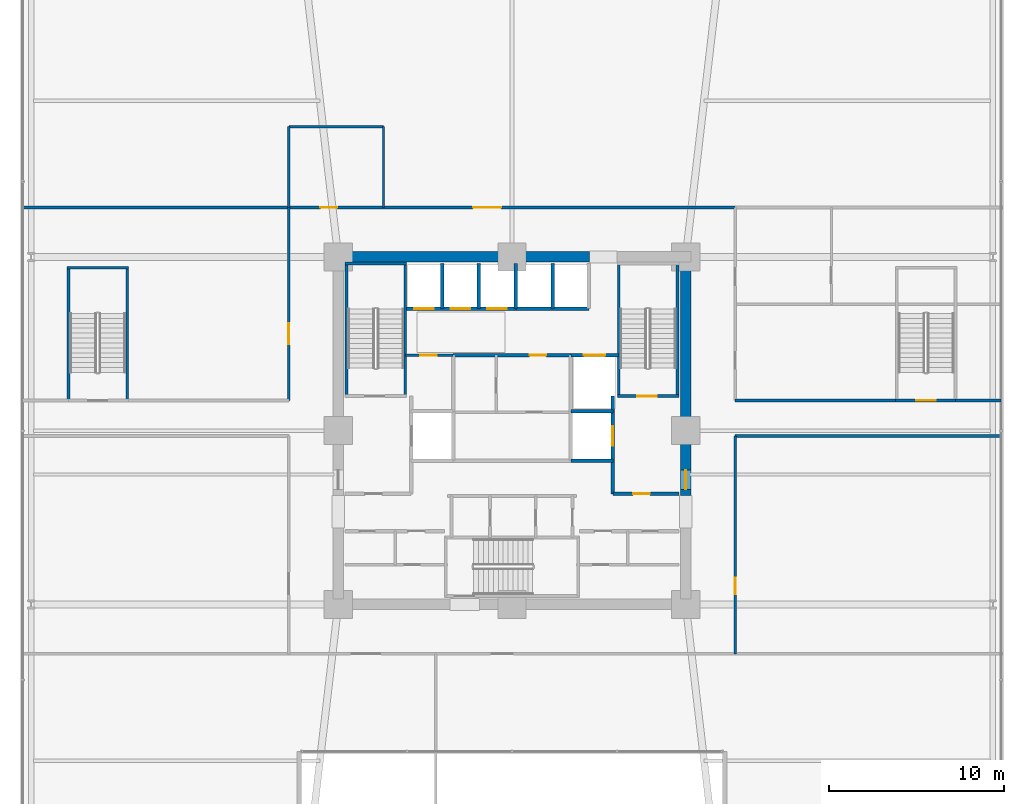
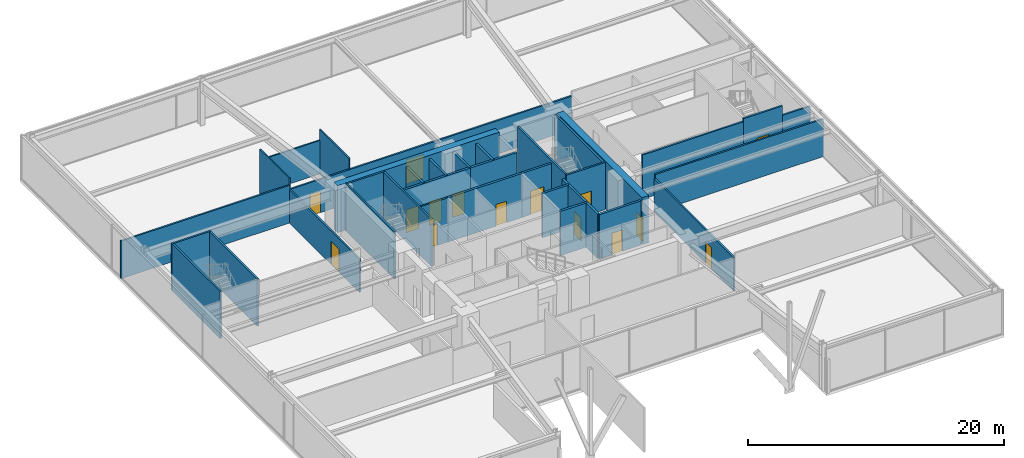
# One storey, part 42 of 47: 35 walls, 15 doors, 15 openings.
"""IFC4 building model written with IfcOpenShell, lengths in metres."""

from ifc_helpers import new_model, si_unit, direction, frame, frame_2d, origin, place, context, subcontext, project, spatial, rectangle, extrude, material, layer, layer_set, type_object, element, fill, save


model = new_model("IFC4")

# Units and contexts
model_context = context("Model", 3, precision=1e-05, world=origin(), true_north=direction((0.0, 1.0)))
body_context = subcontext(model_context, "Body", "Model", "MODEL_VIEW")
ifc_project = project(units=[si_unit("LENGTHUNIT", "METRE"), si_unit("AREAUNIT", "SQUARE_METRE"), si_unit("VOLUMEUNIT", "CUBIC_METRE"), si_unit("PLANEANGLEUNIT", "RADIAN"), si_unit("MASSUNIT", "GRAM", prefix="KILO")], contexts=[model_context])

# Site, building, storey
site_placement = place(None, origin())
site = spatial("IfcSite", under=ifc_project, at=site_placement, CompositionType="ELEMENT")
building_placement = place(site_placement, origin())
building = spatial("IfcBuilding", under=site, at=building_placement, Name="Kolvaren Belvedere", CompositionType="ELEMENT")
storey_placement = place(building_placement, frame((0.0, 0.0, 5.5)))
storey = spatial("IfcBuildingStorey", under=building, at=storey_placement, Name="L02", CompositionType="ELEMENT", Elevation=5.5)

# Wall
ifc_material_1 = material(Name="Concrete C60/75", Category="concrete")
ifc_layer_1 = layer(ifc_material_1, 0.60009765625)
ifc_layer_set_1 = layer_set([ifc_layer_1], Name="Concrete C60/75")
wall_type_1 = type_object("IfcWallType", Name="CW-CORE-600", PredefinedType="SHEAR", material=ifc_layer_set_1)
wall_1_placement = place(storey_placement, frame((-10.199951171875, 9.89990234375, 0.0), z_axis=(0.0, 0.0, 1.0), x_axis=(1.0, 0.0, 0.0)))
element("IfcWall", 1, at=wall_1_placement, inside=storey, type_object=wall_type_1, Name="L02 North Core Shear Wall 1", PredefinedType="SHEAR", context=body_context, shape_type="SweptSolid", body=[
    extrude(rectangle(XDim=14.619873046875, YDim=0.60009765625, at=frame_2d((7.31005859375, 0.0))), origin(), (0.0, 0.0, 1.0), 4.5),
])

# Wall, opening, door
wall_2_placement = place(storey_placement, frame((9.89990234375, -3.699951171875, 0.0), z_axis=(0.0, 0.0, 1.0), x_axis=(0.0, 1.0, 0.0)))
wall_2 = element("IfcWall", 2, at=wall_2_placement, inside=storey, type_object=wall_type_1, Name="L02 East Core Shear Wall 2", PredefinedType="SHEAR", context=body_context, shape_type="SweptSolid", body=[
    extrude(rectangle(XDim=13.300048828125, YDim=0.60009765625, at=frame_2d((6.64990234375, 0.0))), origin(), (0.0, 0.0, 1.0), 4.5),
])
opening_1_placement = place(wall_2_placement, frame((0.35009765625, 0.0, 0.0)))
opening_1 = element("IfcOpeningElement", 3, at=opening_1_placement, cuts=wall_2, Name="Opening D-FD90", PredefinedType="OPENING", context=body_context, shape_type="SweptSolid", body=[
    extrude(rectangle(XDim=1.10009765625, YDim=2.199951171875, at=frame_2d((0.550048828125, 1.10009765625))), frame((0.0, 0.31005859375, 0.0), z_axis=(0.0, -1.0, 0.0), x_axis=(1.0, 0.0, 0.0)), (0.0, 0.0, 1.0), 0.6201171875),
])
ifc_material_2 = material(Name="Painted hollow stainless steel", Category="steel")
door_type_1 = type_object("IfcDoorType", Name="DR-FD90-1100", OperationType="NOTDEFINED", PredefinedType="DOOR", material=ifc_material_2)
door_1_placement = place(opening_1_placement, origin())
door_1 = element("IfcDoor", 4, at=door_1_placement, inside=storey, type_object=door_type_1, Name="L02 East Firefighting Lobby Fire Door", OperationType="SINGLE_SWING_RIGHT", OverallHeight=2.199951171875, OverallWidth=1.10009765625, PredefinedType="DOOR", context=body_context, shape_type="SweptSolid", body=[
    extrude(rectangle(XDim=1.10009765625, YDim=2.199951171875, at=frame_2d((0.550048828125, 1.10009765625))), frame((0.0, 0.02490234375, 0.0), z_axis=(0.0, -1.0, 0.0), x_axis=(1.0, 0.0, 0.0)), (0.0, 0.0, 1.0), 0.050048828125),
])
fill(opening_1, door_1)

# Walls
ifc_material_3 = material(Name="Concrete C50/60", Category="concrete")
ifc_layer_2 = layer(ifc_material_3, 0.159912109375)
ifc_layer_set_2 = layer_set([ifc_layer_2], Name="Concrete C50/60")
wall_type_2 = type_object("IfcWallType", Name="CW-STAIR-160", PredefinedType="SHEAR", material=ifc_layer_set_2)
wall_3_placement = place(storey_placement, frame((-9.52001953125, 9.530029296875, 0.0), z_axis=(0.0, 0.0, 1.0), x_axis=(1.0, 0.0, 0.0)))
element("IfcWall", 5, at=wall_3_placement, inside=storey, type_object=wall_type_2, Name="L02 Stair ST-1 North Shear Wall", PredefinedType="SHEAR", context=body_context, shape_type="SweptSolid", body=[
    extrude(rectangle(XDim=3.52001953125, YDim=0.159912109375, at=frame_2d((1.760009765625, 0.0))), origin(), (0.0, 0.0, 1.0), 4.5),
])
for number, where, z_axis, x_axis, name in (
    (6, (-9.429931640625, 1.969970703125, 0.0), (0.0, 0.0, 1.0), (0.0, 1.0, 0.0), "L02 Stair ST-1 West Shear Wall"),
    (7, (-6.080078125, 1.969970703125, 0.0), (0.0, 0.0, 1.0), (0.0, 1.0, 0.0), "L02 Stair ST-1 East Shear Wall"),
):
    element("IfcWall", number, at=place(storey_placement, frame(where, z_axis=z_axis, x_axis=x_axis)), inside=storey, type_object=wall_type_2, Name=name, PredefinedType="SHEAR", context=body_context, shape_type="SweptSolid", body=[
        extrude(rectangle(XDim=7.56005859375, YDim=0.159912109375, at=frame_2d((3.780029296875, 0.0))), origin(), (0.0, 0.0, 1.0), 4.5),
    ])

# Wall, opening, door
wall_4_placement = place(storey_placement, frame((6.0, 1.969970703125, 0.0), z_axis=(0.0, 0.0, 1.0), x_axis=(1.0, 0.0, 0.0)))
wall_4 = element("IfcWall", 8, at=wall_4_placement, inside=storey, type_object=wall_type_2, Name="L02 Stair ST-2 South Shear Wall", PredefinedType="SHEAR", context=body_context, shape_type="SweptSolid", body=[
    extrude(rectangle(XDim=3.52001953125, YDim=0.159912109375, at=frame_2d((1.760009765625, 0.0))), origin(), (0.0, 0.0, 1.0), 4.5),
])
opening_2_placement = place(wall_4_placement, frame((1.14990234375, 0.0, 0.0)))
opening_2 = element("IfcOpeningElement", 9, at=opening_2_placement, cuts=wall_4, Name="Opening D-FD90", PredefinedType="OPENING", context=body_context, shape_type="SweptSolid", body=[
    extrude(rectangle(XDim=1.10009765625, YDim=2.199951171875, at=frame_2d((0.550048828125, 1.10009765625))), frame((0.0, 0.08984375, 0.0), z_axis=(0.0, -1.0, 0.0), x_axis=(1.0, 0.0, 0.0)), (0.0, 0.0, 1.0), 0.179931640625),
])
door_2_placement = place(opening_2_placement, origin())
door_2 = element("IfcDoor", 10, at=door_2_placement, inside=storey, type_object=door_type_1, Name="L02 Stair ST-2 Fire Door", OperationType="SINGLE_SWING_RIGHT", OverallHeight=2.199951171875, OverallWidth=1.10009765625, PredefinedType="DOOR", context=body_context, shape_type="SweptSolid", body=[
    extrude(rectangle(XDim=1.10009765625, YDim=2.199951171875, at=frame_2d((0.550048828125, 1.10009765625))), frame((0.0, 0.02490234375, 0.0), z_axis=(0.0, -1.0, 0.0), x_axis=(1.0, 0.0, 0.0)), (0.0, 0.0, 1.0), 0.050048828125),
])
fill(opening_2, door_2)

# Walls
for number, where, z_axis, x_axis, name in (
    (11, (6.080078125, 1.969970703125, 0.0), (0.0, 0.0, 1.0), (0.0, 1.0, 0.0), "L02 Stair ST-2 West Shear Wall"),
    (12, (9.429931640625, 1.969970703125, 0.0), (0.0, 0.0, 1.0), (0.0, 1.0, 0.0), "L02 Stair ST-2 East Shear Wall"),
):
    element("IfcWall", number, at=place(storey_placement, frame(where, z_axis=z_axis, x_axis=x_axis)), inside=storey, type_object=wall_type_2, Name=name, PredefinedType="SHEAR", context=body_context, shape_type="SweptSolid", body=[
        extrude(rectangle(XDim=7.56005859375, YDim=0.159912109375, at=frame_2d((3.780029296875, 0.0))), origin(), (0.0, 0.0, 1.0), 4.5),
    ])
wall_5_placement = place(storey_placement, frame((-25.360107421875, 9.280029296875, 0.0), z_axis=(0.0, 0.0, 1.0), x_axis=(1.0, 0.0, 0.0)))
element("IfcWall", 13, at=wall_5_placement, inside=storey, type_object=wall_type_2, Name="L02 Stair ST-P1 North Shear Wall", PredefinedType="SHEAR", context=body_context, shape_type="SweptSolid", body=[
    extrude(rectangle(XDim=3.510009765625, YDim=0.159912109375, at=frame_2d((1.7548828125, 0.0))), origin(), (0.0, 0.0, 1.0), 4.5),
])
for number, where, z_axis, x_axis, name in (
    (14, (-25.280029296875, 1.719970703125, 0.0), (0.0, 0.0, 1.0), (0.0, 1.0, 0.0), "L02 Stair ST-P1 West Shear Wall"),
    (15, (-21.929931640625, 1.719970703125, 0.0), (0.0, 0.0, 1.0), (0.0, 1.0, 0.0), "L02 Stair ST-P1 East Shear Wall"),
):
    element("IfcWall", number, at=place(storey_placement, frame(where, z_axis=z_axis, x_axis=x_axis)), inside=storey, type_object=wall_type_2, Name=name, PredefinedType="SHEAR", context=body_context, shape_type="SweptSolid", body=[
        extrude(rectangle(XDim=7.56005859375, YDim=0.159912109375, at=frame_2d((3.780029296875, 0.0))), origin(), (0.0, 0.0, 1.0), 4.5),
    ])

# Wall, opening, door
wall_6_placement = place(storey_placement, frame((21.85009765625, 1.719970703125, 0.0), z_axis=(0.0, 0.0, 1.0), x_axis=(1.0, 0.0, 0.0)))
wall_6 = element("IfcWall", 16, at=wall_6_placement, inside=storey, type_object=wall_type_2, Name="L02 Stair ST-P2 South Shear Wall", PredefinedType="SHEAR", context=body_context, shape_type="SweptSolid", body=[
    extrude(rectangle(XDim=3.510009765625, YDim=0.159912109375, at=frame_2d((1.7548828125, 0.0))), origin(), (0.0, 0.0, 1.0), 4.5),
])
opening_3_placement = place(wall_6_placement, frame((1.199951171875, 0.0, 0.0)))
opening_3 = element("IfcOpeningElement", 17, at=opening_3_placement, cuts=wall_6, Name="Opening D-FD90", PredefinedType="OPENING", context=body_context, shape_type="SweptSolid", body=[
    extrude(rectangle(XDim=1.10009765625, YDim=2.199951171875, at=frame_2d((0.550048828125, 1.10009765625))), frame((0.0, 0.08984375, 0.0), z_axis=(0.0, -1.0, 0.0), x_axis=(1.0, 0.0, 0.0)), (0.0, 0.0, 1.0), 0.179931640625),
])
door_3_placement = place(opening_3_placement, origin())
door_3 = element("IfcDoor", 18, at=door_3_placement, inside=storey, type_object=door_type_1, Name="L02 Podium Stair ST-P2 Exit Door", OperationType="SINGLE_SWING_RIGHT", OverallHeight=2.199951171875, OverallWidth=1.10009765625, PredefinedType="DOOR", context=body_context, shape_type="SweptSolid", body=[
    extrude(rectangle(XDim=1.10009765625, YDim=2.199951171875, at=frame_2d((0.550048828125, 1.10009765625))), frame((0.0, 0.02490234375, 0.0), z_axis=(0.0, -1.0, 0.0), x_axis=(1.0, 0.0, 0.0)), (0.0, 0.0, 1.0), 0.050048828125),
])
fill(opening_3, door_3)

# Wall, openings, doors
ifc_material_4 = material(Name="Gypsum fire-rated partition assembly", Category="gypsum")
ifc_layer_3 = layer(ifc_material_4, 0.14990234375)
ifc_layer_set_3 = layer_set([ifc_layer_3], Name="Gypsum fire-rated partition assembly")
wall_type_3 = type_object("IfcWallType", Name="WL-CORR-150", PredefinedType="PARTITIONING", material=ifc_layer_set_3)
wall_7_placement = place(storey_placement, frame((-12.719970703125, 12.719970703125, 0.0), z_axis=(0.0, 0.0, 1.0), x_axis=(1.0, 0.0, 0.0)))
wall_7 = element("IfcWall", 19, at=wall_7_placement, inside=storey, type_object=wall_type_3, Name="L02 North Corridor Wall", PredefinedType="PARTITIONING", context=body_context, shape_type="SweptSolid", body=[
    extrude(rectangle(XDim=25.43994140625, YDim=0.14990234375, at=frame_2d((12.719970703125, 0.0))), origin(), (0.0, 0.0, 1.0), 3.194091796875),
])
opening_4_placement = place(wall_7_placement, frame((1.800048828125, 0.0, 0.0)))
opening_4 = element("IfcOpeningElement", 20, at=opening_4_placement, cuts=wall_7, Name="Opening D-INT95", PredefinedType="OPENING", context=body_context, shape_type="SweptSolid", body=[
    extrude(rectangle(XDim=0.949951171875, YDim=2.06005859375, at=frame_2d((0.47509765625, 1.030029296875))), frame((0.0, 0.0849609375, 0.0), z_axis=(0.0, -1.0, 0.0), x_axis=(1.0, 0.0, 0.0)), (0.0, 0.0, 1.0), 0.169921875),
])
opening_5_placement = place(wall_7_placement, frame((10.5, 0.0, 0.0)))
opening_5 = element("IfcOpeningElement", 21, at=opening_5_placement, cuts=wall_7, Name="Opening D-GL16", PredefinedType="OPENING", context=body_context, shape_type="SweptSolid", body=[
    extrude(rectangle(XDim=1.60009765625, YDim=2.300048828125, at=frame_2d((0.800048828125, 1.14990234375))), frame((0.0, 0.0849609375, 0.0), z_axis=(0.0, -1.0, 0.0), x_axis=(1.0, 0.0, 0.0)), (0.0, 0.0, 1.0), 0.169921875),
])
ifc_material_5 = material(Name="Anodised pale-metal aluminium & safety glass", Category="aluminium")
door_type_2 = type_object("IfcDoorType", Name="DR-GLAZ-1600", OperationType="DOUBLE_DOOR_SINGLE_SWING", PredefinedType="DOOR", material=ifc_material_5)
door_4_placement = place(opening_5_placement, origin())
door_4 = element("IfcDoor", 22, at=door_4_placement, inside=storey, type_object=door_type_2, Name="L02 North Panoramic Lounge Door", OperationType="DOUBLE_DOOR_SINGLE_SWING", OverallHeight=2.300048828125, OverallWidth=1.60009765625, PredefinedType="DOOR", context=body_context, shape_type="SweptSolid", body=[
    extrude(rectangle(XDim=1.60009765625, YDim=2.300048828125, at=frame_2d((0.800048828125, 1.14990234375))), frame((0.0, 0.02490234375, 0.0), z_axis=(0.0, -1.0, 0.0), x_axis=(1.0, 0.0, 0.0)), (0.0, 0.0, 1.0), 0.050048828125),
])
fill(opening_5, door_4)
ifc_material_6 = material(Name="Stained Pacific white oak", Category="timber")
door_type_3 = type_object("IfcDoorType", Name="DR-INT-950", OperationType="NOTDEFINED", PredefinedType="DOOR", material=ifc_material_6)
door_5_placement = place(opening_4_placement, origin())
door_5 = element("IfcDoor", 23, at=door_5_placement, inside=storey, type_object=door_type_3, Name="L02 Accessible Mezzanine Washroom Door", OperationType="SINGLE_SWING_LEFT", OverallHeight=2.06005859375, OverallWidth=0.949951171875, PredefinedType="DOOR", context=body_context, shape_type="SweptSolid", body=[
    extrude(rectangle(XDim=0.949951171875, YDim=2.06005859375, at=frame_2d((0.47509765625, 1.030029296875))), frame((0.0, 0.02490234375, 0.0), z_axis=(0.0, -1.0, 0.0), x_axis=(1.0, 0.0, 0.0)), (0.0, 0.0, 1.0), 0.050048828125),
])
fill(opening_4, door_5)

# Wall, opening, door
wall_8_placement = place(storey_placement, frame((-12.719970703125, 1.719970703125, 0.0), z_axis=(0.0, 0.0, 1.0), x_axis=(0.0, 1.0, 0.0)))
wall_8 = element("IfcWall", 24, at=wall_8_placement, inside=storey, type_object=wall_type_3, Name="L02 West Corridor Wall N", PredefinedType="PARTITIONING", context=body_context, shape_type="SweptSolid", body=[
    extrude(rectangle(XDim=11.0, YDim=0.14990234375, at=frame_2d((5.5, 0.0))), origin(), (0.0, 0.0, 1.0), 3.194091796875),
])
opening_6_placement = place(wall_8_placement, frame((3.199951171875, 0.0, 0.0)))
opening_6 = element("IfcOpeningElement", 25, at=opening_6_placement, cuts=wall_8, Name="Opening D-GL12", PredefinedType="OPENING", context=body_context, shape_type="SweptSolid", body=[
    extrude(rectangle(XDim=1.199951171875, YDim=2.199951171875, at=frame_2d((0.60009765625, 1.10009765625))), frame((0.0, 0.0849609375, 0.0), z_axis=(0.0, -1.0, 0.0), x_axis=(1.0, 0.0, 0.0)), (0.0, 0.0, 1.0), 0.169921875),
])
ifc_material_7 = material(Name="Anodised pale-metal aluminium & safety glass", Category="aluminium")
door_type_4 = type_object("IfcDoorType", Name="DR-GLAZ-1200", OperationType="DOUBLE_DOOR_SINGLE_SWING", PredefinedType="DOOR", material=ifc_material_7)
door_6_placement = place(opening_6_placement, origin())
door_6 = element("IfcDoor", 26, at=door_6_placement, inside=storey, type_object=door_type_4, Name="L02 Executive Meeting & Conference Salon Door", OperationType="DOUBLE_DOOR_SINGLE_SWING", OverallHeight=2.199951171875, OverallWidth=1.199951171875, PredefinedType="DOOR", context=body_context, shape_type="SweptSolid", body=[
    extrude(rectangle(XDim=1.199951171875, YDim=2.199951171875, at=frame_2d((0.60009765625, 1.10009765625))), frame((0.0, 0.02490234375, 0.0), z_axis=(0.0, -1.0, 0.0), x_axis=(1.0, 0.0, 0.0)), (0.0, 0.0, 1.0), 0.050048828125),
])
fill(opening_6, door_6)

wall_9_placement = place(storey_placement, frame((12.719970703125, -12.719970703125, 0.0), z_axis=(0.0, 0.0, 1.0), x_axis=(0.0, 1.0, 0.0)))
wall_9 = element("IfcWall", 27, at=wall_9_placement, inside=storey, type_object=wall_type_3, Name="L02 East Corridor Wall S", PredefinedType="PARTITIONING", context=body_context, shape_type="SweptSolid", body=[
    extrude(rectangle(XDim=12.419921875, YDim=0.14990234375, at=frame_2d((6.2099609375, 0.0))), origin(), (0.0, 0.0, 1.0), 3.194091796875),
])
opening_7_placement = place(wall_9_placement, frame((3.39990234375, 0.0, 0.0)))
opening_7 = element("IfcOpeningElement", 28, at=opening_7_placement, cuts=wall_9, Name="Opening D-FD60", PredefinedType="OPENING", context=body_context, shape_type="SweptSolid", body=[
    extrude(rectangle(XDim=0.949951171875, YDim=2.06005859375, at=frame_2d((0.47509765625, 1.030029296875))), frame((0.0, 0.0849609375, 0.0), z_axis=(0.0, -1.0, 0.0), x_axis=(1.0, 0.0, 0.0)), (0.0, 0.0, 1.0), 0.169921875),
])
ifc_material_8 = material(Name="Acoustic white-oak fire door leaf", Category="timber")
door_type_5 = type_object("IfcDoorType", Name="DR-FD60-950", OperationType="NOTDEFINED", PredefinedType="DOOR", material=ifc_material_8)
door_7_placement = place(opening_7_placement, origin())
door_7 = element("IfcDoor", 29, at=door_7_placement, inside=storey, type_object=door_type_5, Name="L02 Culinary Prep & Finishing Kitchen Door", OperationType="SINGLE_SWING_LEFT", OverallHeight=2.06005859375, OverallWidth=0.949951171875, PredefinedType="DOOR", context=body_context, shape_type="SweptSolid", body=[
    extrude(rectangle(XDim=0.949951171875, YDim=2.06005859375, at=frame_2d((0.47509765625, 1.030029296875))), frame((0.0, 0.02490234375, 0.0), z_axis=(0.0, -1.0, 0.0), x_axis=(1.0, 0.0, 0.0)), (0.0, 0.0, 1.0), 0.050048828125),
])
fill(opening_7, door_7)

# Walls
wall_10_placement = place(storey_placement, frame((12.719970703125, -0.300048828125, 0.0), z_axis=(0.0, 0.0, 1.0), x_axis=(1.0, 0.0, 0.0)))
element("IfcWall", 30, at=wall_10_placement, inside=storey, type_object=wall_type_3, Name="L02 East Stair Spur South Wall", PredefinedType="PARTITIONING", context=body_context, shape_type="SweptSolid", body=[
    extrude(rectangle(XDim=15.159912109375, YDim=0.14990234375, at=frame_2d((7.580078125, 0.0))), origin(), (0.0, 0.0, 1.0), 3.589111328125),
])
wall_11_placement = place(storey_placement, frame((12.719970703125, 1.719970703125, 0.0), z_axis=(0.0, 0.0, 1.0), x_axis=(1.0, 0.0, 0.0)))
element("IfcWall", 31, at=wall_11_placement, inside=storey, type_object=wall_type_3, Name="L02 East Stair Spur North Wall", PredefinedType="PARTITIONING", context=body_context, shape_type="SweptSolid", body=[
    extrude(rectangle(XDim=9.2099609375, YDim=0.14990234375, at=frame_2d((4.60498046875, 0.0))), origin(), (0.0, 0.0, 1.0), 4.219970703125),
])
wall_12_placement = place(storey_placement, frame((25.280029296875, 1.719970703125, 0.0), z_axis=(0.0, 0.0, 1.0), x_axis=(1.0, 0.0, 0.0)))
element("IfcWall", 32, at=wall_12_placement, inside=storey, type_object=wall_type_3, Name="L02 East Stair Spur End Wall", PredefinedType="PARTITIONING", context=body_context, shape_type="SweptSolid", body=[
    extrude(rectangle(XDim=2.599853515625, YDim=0.14990234375, at=frame_2d((1.2998046875, 0.0))), origin(), (0.0, 0.0, 1.0), 3.589111328125),
])
wall_13_placement = place(storey_placement, frame((-27.97998046875, 12.719970703125, 0.0), z_axis=(0.0, 0.0, 1.0), x_axis=(1.0, 0.0, 0.0)))
element("IfcWall", 33, at=wall_13_placement, inside=storey, type_object=wall_type_3, Name="L02 Sector Wall PW-L02-QNW", PredefinedType="PARTITIONING", context=body_context, shape_type="SweptSolid", body=[
    extrude(rectangle(XDim=15.260009765625, YDim=0.14990234375, at=frame_2d((7.6298828125, 0.0))), origin(), (0.0, 0.0, 1.0), 3.589111328125),
])

# Wall, opening, door
ifc_material_9 = material(Name="Gypsum acoustic partition assembly", Category="gypsum")
ifc_layer_4 = layer(ifc_material_9, 0.14990234375)
ifc_layer_set_4 = layer_set([ifc_layer_4], Name="Gypsum acoustic partition assembly")
wall_type_4 = type_object("IfcWallType", Name="WL-PART-150", PredefinedType="PARTITIONING", material=ifc_layer_set_4)
wall_14_placement = place(storey_placement, frame((-6.080078125, 4.300048828125, 0.0), z_axis=(0.0, 0.0, 1.0), x_axis=(1.0, 0.0, 0.0)))
wall_14 = element("IfcWall", 34, at=wall_14_placement, inside=storey, type_object=wall_type_4, Name="L02 NW Service Room North Wall", PredefinedType="PARTITIONING", context=body_context, shape_type="SweptSolid", body=[
    extrude(rectangle(XDim=2.72998046875, YDim=0.14990234375, at=frame_2d((1.364990234375, 0.0))), origin(), (0.0, 0.0, 1.0), 4.219970703125),
])
opening_8_placement = place(wall_14_placement, frame((0.85009765625, 0.0, 0.0)))
opening_8 = element("IfcOpeningElement", 35, at=opening_8_placement, cuts=wall_14, Name="Opening D-FD60", PredefinedType="OPENING", context=body_context, shape_type="SweptSolid", body=[
    extrude(rectangle(XDim=0.949951171875, YDim=2.06005859375, at=frame_2d((0.47509765625, 1.030029296875))), frame((0.0, 0.0849609375, 0.0), z_axis=(0.0, -1.0, 0.0), x_axis=(1.0, 0.0, 0.0)), (0.0, 0.0, 1.0), 0.169921875),
])
door_8_placement = place(opening_8_placement, origin())
door_8 = element("IfcDoor", 36, at=door_8_placement, inside=storey, type_object=door_type_5, Name="L02 NW Core Store Door", OperationType="SINGLE_SWING_RIGHT", OverallHeight=2.06005859375, OverallWidth=0.949951171875, PredefinedType="DOOR", context=body_context, shape_type="SweptSolid", body=[
    extrude(rectangle(XDim=0.949951171875, YDim=2.06005859375, at=frame_2d((0.47509765625, 1.030029296875))), frame((0.0, 0.02490234375, 0.0), z_axis=(0.0, -1.0, 0.0), x_axis=(1.0, 0.0, 0.0)), (0.0, 0.0, 1.0), 0.050048828125),
])
fill(opening_8, door_8)

ifc_material_10 = material(Name="Concrete C50/60", Category="concrete")
ifc_layer_5 = layer(ifc_material_10, 0.199951171875)
ifc_layer_set_5 = layer_set([ifc_layer_5], Name="Concrete C50/60")
wall_type_5 = type_object("IfcWallType", Name="WL-SHAFT-200", PredefinedType="SOLIDWALL", material=ifc_layer_set_5)
wall_15_placement = place(storey_placement, frame((5.75, -3.60009765625, 0.0), z_axis=(0.0, 0.0, 1.0), x_axis=(1.0, 0.0, 0.0)))
wall_15 = element("IfcWall", 37, at=wall_15_placement, inside=storey, type_object=wall_type_5, Name="L02 East FSAE Lobby South Wall", PredefinedType="SOLIDWALL", context=body_context, shape_type="SweptSolid", body=[
    extrude(rectangle(XDim=3.77001953125, YDim=0.199951171875, at=frame_2d((1.885009765625, 0.0))), origin(), (0.0, 0.0, 1.0), 4.219970703125),
])
opening_9_placement = place(wall_15_placement, frame((1.14990234375, 0.0, 0.0)))
opening_9 = element("IfcOpeningElement", 38, at=opening_9_placement, cuts=wall_15, Name="Opening D-FD60", PredefinedType="OPENING", context=body_context, shape_type="SweptSolid", body=[
    extrude(rectangle(XDim=0.949951171875, YDim=2.06005859375, at=frame_2d((0.47509765625, 1.030029296875))), frame((0.0, 0.10986328125, 0.0), z_axis=(0.0, -1.0, 0.0), x_axis=(1.0, 0.0, 0.0)), (0.0, 0.0, 1.0), 0.219970703125),
])
door_9_placement = place(opening_9_placement, origin())
door_9 = element("IfcDoor", 39, at=door_9_placement, inside=storey, type_object=door_type_5, Name="L02 SE Lift Lobby Fire Door", OperationType="SINGLE_SWING_RIGHT", OverallHeight=2.06005859375, OverallWidth=0.949951171875, PredefinedType="DOOR", context=body_context, shape_type="SweptSolid", body=[
    extrude(rectangle(XDim=0.949951171875, YDim=2.06005859375, at=frame_2d((0.47509765625, 1.030029296875))), frame((0.0, 0.02490234375, 0.0), z_axis=(0.0, -1.0, 0.0), x_axis=(1.0, 0.0, 0.0)), (0.0, 0.0, 1.0), 0.050048828125),
])
fill(opening_9, door_9)

wall_16_placement = place(storey_placement, frame((5.75, -3.60009765625, 0.0), z_axis=(0.0, 0.0, 1.0), x_axis=(0.0, 1.0, 0.0)))
wall_16 = element("IfcWall", 40, at=wall_16_placement, inside=storey, type_object=wall_type_5, Name="L02 FSAE FS2 Landing Wall", PredefinedType="SOLIDWALL", context=body_context, shape_type="SweptSolid", body=[
    extrude(rectangle(XDim=5.570068359375, YDim=0.199951171875, at=frame_2d((2.78515625, 0.0))), origin(), (0.0, 0.0, 1.0), 4.219970703125),
])
opening_10_placement = place(wall_16_placement, frame((2.75, 0.0, 0.0)))
opening_10 = element("IfcOpeningElement", 41, at=opening_10_placement, cuts=wall_16, Name="Opening LD-11", PredefinedType="OPENING", context=body_context, shape_type="SweptSolid", body=[
    extrude(rectangle(XDim=1.10009765625, YDim=2.199951171875, at=frame_2d((0.550048828125, 1.10009765625))), frame((0.0, 0.10986328125, 0.0), z_axis=(0.0, -1.0, 0.0), x_axis=(1.0, 0.0, 0.0)), (0.0, 0.0, 1.0), 0.219970703125),
])
ifc_material_11 = material(Name="Brushed stainless steel", Category="steel")
door_type_6 = type_object("IfcDoorType", Name="DR-LIFT-1100", OperationType="DOUBLE_DOOR_SLIDING", PredefinedType="DOOR", material=ifc_material_11)
door_10_placement = place(opening_10_placement, origin())
door_10 = element("IfcDoor", 42, at=door_10_placement, inside=storey, type_object=door_type_6, Name="L02 Firefighting Lift FS2 Landing Door", OperationType="DOUBLE_DOOR_SLIDING", OverallHeight=2.199951171875, OverallWidth=1.10009765625, PredefinedType="DOOR", context=body_context, shape_type="SweptSolid", body=[
    extrude(rectangle(XDim=1.10009765625, YDim=2.199951171875, at=frame_2d((0.550048828125, 1.10009765625))), frame((0.0, 0.02490234375, 0.0), z_axis=(0.0, -1.0, 0.0), x_axis=(1.0, 0.0, 0.0)), (0.0, 0.0, 1.0), 0.050048828125),
])
fill(opening_10, door_10)

# Walls
for number, where, z_axis, x_axis, name in (
    (43, (3.35009765625, -1.699951171875, 0.0), (0.0, 0.0, 1.0), (1.0, 0.0, 0.0), "L02 FSAE FS2 South Wall"),
    (44, (3.35009765625, 1.10009765625, 0.0), (0.0, 0.0, 1.0), (1.0, 0.0, 0.0), "L02 FSAE FS2 North Wall"),
):
    element("IfcWall", number, at=place(storey_placement, frame(where, z_axis=z_axis, x_axis=x_axis)), inside=storey, type_object=wall_type_5, Name=name, PredefinedType="SOLIDWALL", context=body_context, shape_type="SweptSolid", body=[
        extrude(rectangle(XDim=2.39990234375, YDim=0.199951171875, at=frame_2d((1.199951171875, 0.0))), origin(), (0.0, 0.0, 1.0), 4.219970703125),
    ])

# Wall, opening, door
wall_17_placement = place(storey_placement, frame((3.35009765625, 4.300048828125, 0.0), z_axis=(0.0, 0.0, 1.0), x_axis=(1.0, 0.0, 0.0)))
wall_17 = element("IfcWall", 45, at=wall_17_placement, inside=storey, type_object=wall_type_5, Name="L02 Service Lift SV1 Front Wall", PredefinedType="SOLIDWALL", context=body_context, shape_type="SweptSolid", body=[
    extrude(rectangle(XDim=2.72998046875, YDim=0.199951171875, at=frame_2d((1.364990234375, 0.0))), origin(), (0.0, 0.0, 1.0), 4.219970703125),
])
opening_11_placement = place(wall_17_placement, frame((0.75, 0.0, 0.0)))
opening_11 = element("IfcOpeningElement", 46, at=opening_11_placement, cuts=wall_17, Name="Opening LD-12", PredefinedType="OPENING", context=body_context, shape_type="SweptSolid", body=[
    extrude(rectangle(XDim=1.199951171875, YDim=2.25, at=frame_2d((0.60009765625, 1.125))), frame((0.0, 0.10986328125, 0.0), z_axis=(0.0, -1.0, 0.0), x_axis=(1.0, 0.0, 0.0)), (0.0, 0.0, 1.0), 0.219970703125),
])
ifc_material_12 = material(Name="Brushed stainless steel", Category="steel")
door_type_7 = type_object("IfcDoorType", Name="DR-LIFT-1200", OperationType="DOUBLE_DOOR_SLIDING", PredefinedType="DOOR", material=ifc_material_12)
door_11_placement = place(opening_11_placement, origin())
door_11 = element("IfcDoor", 47, at=door_11_placement, inside=storey, type_object=door_type_7, Name="L02 Service Lift SV1 Landing Door", OperationType="DOUBLE_DOOR_SLIDING", OverallHeight=2.25, OverallWidth=1.199951171875, PredefinedType="DOOR", context=body_context, shape_type="SweptSolid", body=[
    extrude(rectangle(XDim=1.199951171875, YDim=2.25, at=frame_2d((0.60009765625, 1.125))), frame((0.0, 0.02490234375, 0.0), z_axis=(0.0, -1.0, 0.0), x_axis=(1.0, 0.0, 0.0)), (0.0, 0.0, 1.0), 0.050048828125),
])
fill(opening_11, door_11)

# Wall, openings, doors
wall_18_placement = place(storey_placement, frame((-6.080078125, 6.949951171875, 0.0), z_axis=(0.0, 0.0, 1.0), x_axis=(1.0, 0.0, 0.0)))
wall_18 = element("IfcWall", 48, at=wall_18_placement, inside=storey, type_object=wall_type_5, Name="L02 Low-Rise Lift Bank Front Wall", PredefinedType="SOLIDWALL", context=body_context, shape_type="SweptSolid", body=[
    extrude(rectangle(XDim=6.300048828125, YDim=0.199951171875, at=frame_2d((3.14990234375, 0.0))), origin(), (0.0, 0.0, 1.0), 4.219970703125),
])
opening_12_placement = place(wall_18_placement, frame((0.52001953125, 0.0, 0.0)))
opening_12 = element("IfcOpeningElement", 49, at=opening_12_placement, cuts=wall_18, Name="Opening LD-11", PredefinedType="OPENING", context=body_context, shape_type="SweptSolid", body=[
    extrude(rectangle(XDim=1.10009765625, YDim=2.199951171875, at=frame_2d((0.550048828125, 1.10009765625))), frame((0.0, 0.10986328125, 0.0), z_axis=(0.0, -1.0, 0.0), x_axis=(1.0, 0.0, 0.0)), (0.0, 0.0, 1.0), 0.219970703125),
])
opening_13_placement = place(wall_18_placement, frame((2.60009765625, 0.0, 0.0)))
opening_13 = element("IfcOpeningElement", 50, at=opening_13_placement, cuts=wall_18, Name="Opening LD-11", PredefinedType="OPENING", context=body_context, shape_type="SweptSolid", body=[
    extrude(rectangle(XDim=1.10009765625, YDim=2.199951171875, at=frame_2d((0.550048828125, 1.10009765625))), frame((0.0, 0.10986328125, 0.0), z_axis=(0.0, -1.0, 0.0), x_axis=(1.0, 0.0, 0.0)), (0.0, 0.0, 1.0), 0.219970703125),
])
opening_14_placement = place(wall_18_placement, frame((4.679931640625, 0.0, 0.0)))
opening_14 = element("IfcOpeningElement", 51, at=opening_14_placement, cuts=wall_18, Name="Opening LD-11", PredefinedType="OPENING", context=body_context, shape_type="SweptSolid", body=[
    extrude(rectangle(XDim=1.10009765625, YDim=2.199951171875, at=frame_2d((0.550048828125, 1.10009765625))), frame((0.0, 0.10986328125, 0.0), z_axis=(0.0, -1.0, 0.0), x_axis=(1.0, 0.0, 0.0)), (0.0, 0.0, 1.0), 0.219970703125),
])
door_12_placement = place(opening_12_placement, origin())
door_12 = element("IfcDoor", 52, at=door_12_placement, inside=storey, type_object=door_type_6, Name="L02 Passenger Lift P1 Landing Door", OperationType="DOUBLE_DOOR_SLIDING", OverallHeight=2.199951171875, OverallWidth=1.10009765625, PredefinedType="DOOR", context=body_context, shape_type="SweptSolid", body=[
    extrude(rectangle(XDim=1.10009765625, YDim=2.199951171875, at=frame_2d((0.550048828125, 1.10009765625))), frame((0.0, 0.02490234375, 0.0), z_axis=(0.0, -1.0, 0.0), x_axis=(1.0, 0.0, 0.0)), (0.0, 0.0, 1.0), 0.050048828125),
])
fill(opening_12, door_12)
door_13_placement = place(opening_13_placement, origin())
door_13 = element("IfcDoor", 53, at=door_13_placement, inside=storey, type_object=door_type_6, Name="L02 Passenger Lift P2 Landing Door", OperationType="DOUBLE_DOOR_SLIDING", OverallHeight=2.199951171875, OverallWidth=1.10009765625, PredefinedType="DOOR", context=body_context, shape_type="SweptSolid", body=[
    extrude(rectangle(XDim=1.10009765625, YDim=2.199951171875, at=frame_2d((0.550048828125, 1.10009765625))), frame((0.0, 0.02490234375, 0.0), z_axis=(0.0, -1.0, 0.0), x_axis=(1.0, 0.0, 0.0)), (0.0, 0.0, 1.0), 0.050048828125),
])
fill(opening_13, door_13)
door_14_placement = place(opening_14_placement, origin())
door_14 = element("IfcDoor", 54, at=door_14_placement, inside=storey, type_object=door_type_6, Name="L02 Passenger Lift P3 Landing Door", OperationType="DOUBLE_DOOR_SLIDING", OverallHeight=2.199951171875, OverallWidth=1.10009765625, PredefinedType="DOOR", context=body_context, shape_type="SweptSolid", body=[
    extrude(rectangle(XDim=1.10009765625, YDim=2.199951171875, at=frame_2d((0.550048828125, 1.10009765625))), frame((0.0, 0.02490234375, 0.0), z_axis=(0.0, -1.0, 0.0), x_axis=(1.0, 0.0, 0.0)), (0.0, 0.0, 1.0), 0.050048828125),
])
fill(opening_14, door_14)

# Walls
for number, where, z_axis, x_axis, name in (
    (55, (-3.969970703125, 6.949951171875, 0.0), (0.0, 0.0, 1.0), (0.0, 1.0, 0.0), "L02 Low-Rise Hoistway Divider 1"),
    (56, (-1.889892578125, 6.949951171875, 0.0), (0.0, 0.0, 1.0), (0.0, 1.0, 0.0), "L02 Low-Rise Hoistway Divider 2"),
    (57, (0.2099609375, 6.949951171875, 0.0), (0.0, 0.0, 1.0), (0.0, 1.0, 0.0), "L02 Low-Rise Hoistway Divider 3"),
):
    element("IfcWall", number, at=place(storey_placement, frame(where, z_axis=z_axis, x_axis=x_axis)), inside=storey, type_object=wall_type_5, Name=name, PredefinedType="SOLIDWALL", context=body_context, shape_type="SweptSolid", body=[
        extrude(rectangle(XDim=2.570068359375, YDim=0.199951171875, at=frame_2d((1.28515625, 0.0))), origin(), (0.0, 0.0, 1.0), 4.219970703125),
    ])
wall_19_placement = place(storey_placement, frame((0.219970703125, 6.949951171875, 0.0), z_axis=(0.0, 0.0, 1.0), x_axis=(1.0, 0.0, 0.0)))
element("IfcWall", 58, at=wall_19_placement, inside=storey, type_object=wall_type_5, Name="L02 Express Shuttle Hoistway Wall", PredefinedType="SOLIDWALL", context=body_context, shape_type="SweptSolid", body=[
    extrude(rectangle(XDim=4.179931640625, YDim=0.199951171875, at=frame_2d((2.08984375, 0.0))), origin(), (0.0, 0.0, 1.0), 4.219970703125),
])
wall_20_placement = place(storey_placement, frame((2.31005859375, 6.949951171875, 0.0), z_axis=(0.0, 0.0, 1.0), x_axis=(0.0, 1.0, 0.0)))
element("IfcWall", 59, at=wall_20_placement, inside=storey, type_object=wall_type_5, Name="L02 Express Shuttle Divider", PredefinedType="SOLIDWALL", context=body_context, shape_type="SweptSolid", body=[
    extrude(rectangle(XDim=2.570068359375, YDim=0.199951171875, at=frame_2d((1.28515625, 0.0))), origin(), (0.0, 0.0, 1.0), 4.219970703125),
])

# Wall, opening, door
wall_21_placement = place(storey_placement, frame((-3.35009765625, 4.300048828125, 0.0), z_axis=(0.0, 0.0, 1.0), x_axis=(1.0, 0.0, 0.0)))
wall_21 = element("IfcWall", 60, at=wall_21_placement, inside=storey, type_object=wall_type_5, Name="L02 Central Core Room North Wall", PredefinedType="SOLIDWALL", context=body_context, shape_type="SweptSolid", body=[
    extrude(rectangle(XDim=6.7001953125, YDim=0.199951171875, at=frame_2d((3.35009765625, 0.0))), origin(), (0.0, 0.0, 1.0), 4.219970703125),
])
opening_15_placement = place(wall_21_placement, frame((4.35009765625, 0.0, 0.0)))
opening_15 = element("IfcOpeningElement", 61, at=opening_15_placement, cuts=wall_21, Name="Opening D-FD60", PredefinedType="OPENING", context=body_context, shape_type="SweptSolid", body=[
    extrude(rectangle(XDim=0.949951171875, YDim=2.06005859375, at=frame_2d((0.47509765625, 1.030029296875))), frame((0.0, 0.10986328125, 0.0), z_axis=(0.0, -1.0, 0.0), x_axis=(1.0, 0.0, 0.0)), (0.0, 0.0, 1.0), 0.219970703125),
])
door_15_placement = place(opening_15_placement, origin())
door_15 = element("IfcDoor", 62, at=door_15_placement, inside=storey, type_object=door_type_5, Name="L02 Central Core Controls Door", OperationType="SINGLE_SWING_LEFT", OverallHeight=2.06005859375, OverallWidth=0.949951171875, PredefinedType="DOOR", context=body_context, shape_type="SweptSolid", body=[
    extrude(rectangle(XDim=0.949951171875, YDim=2.06005859375, at=frame_2d((0.47509765625, 1.030029296875))), frame((0.0, 0.02490234375, 0.0), z_axis=(0.0, -1.0, 0.0), x_axis=(1.0, 0.0, 0.0)), (0.0, 0.0, 1.0), 0.050048828125),
])
fill(opening_15, door_15)

# Walls
ifc_material_13 = material(Name="Moisture-resistant gypsum partition", Category="gypsum")
ifc_layer_6 = layer(ifc_material_13, 0.125)
ifc_layer_set_6 = layer_set([ifc_layer_6], Name="Moisture-resistant gypsum partition")
wall_type_6 = type_object("IfcWallType", Name="WL-WET-125", PredefinedType="PARTITIONING", material=ifc_layer_set_6)
for number, where, z_axis, x_axis, name in (
    (63, (-12.719970703125, 12.719970703125, 0.0), (0.0, 0.0, 1.0), (0.0, 1.0, 0.0), "L02 Accessible WC West Wall"),
    (64, (-7.320068359375, 12.719970703125, 0.0), (0.0, 0.0, 1.0), (0.0, 1.0, 0.0), "L02 Accessible WC East Wall"),
):
    element("IfcWall", number, at=place(storey_placement, frame(where, z_axis=z_axis, x_axis=x_axis)), inside=storey, type_object=wall_type_6, Name=name, PredefinedType="PARTITIONING", context=body_context, shape_type="SweptSolid", body=[
        extrude(rectangle(XDim=4.60009765625, YDim=0.125, at=frame_2d((2.300048828125, 0.0))), origin(), (0.0, 0.0, 1.0), 4.219970703125),
    ])
wall_22_placement = place(storey_placement, frame((-12.719970703125, 17.320068359375, 0.0), z_axis=(0.0, 0.0, 1.0), x_axis=(1.0, 0.0, 0.0)))
element("IfcWall", 65, at=wall_22_placement, inside=storey, type_object=wall_type_6, Name="L02 Accessible WC North Wall", PredefinedType="PARTITIONING", context=body_context, shape_type="SweptSolid", body=[
    extrude(rectangle(XDim=5.39990234375, YDim=0.125, at=frame_2d((2.699951171875, 0.0))), origin(), (0.0, 0.0, 1.0), 3.194091796875),
])

save(model, "model.ifc")
